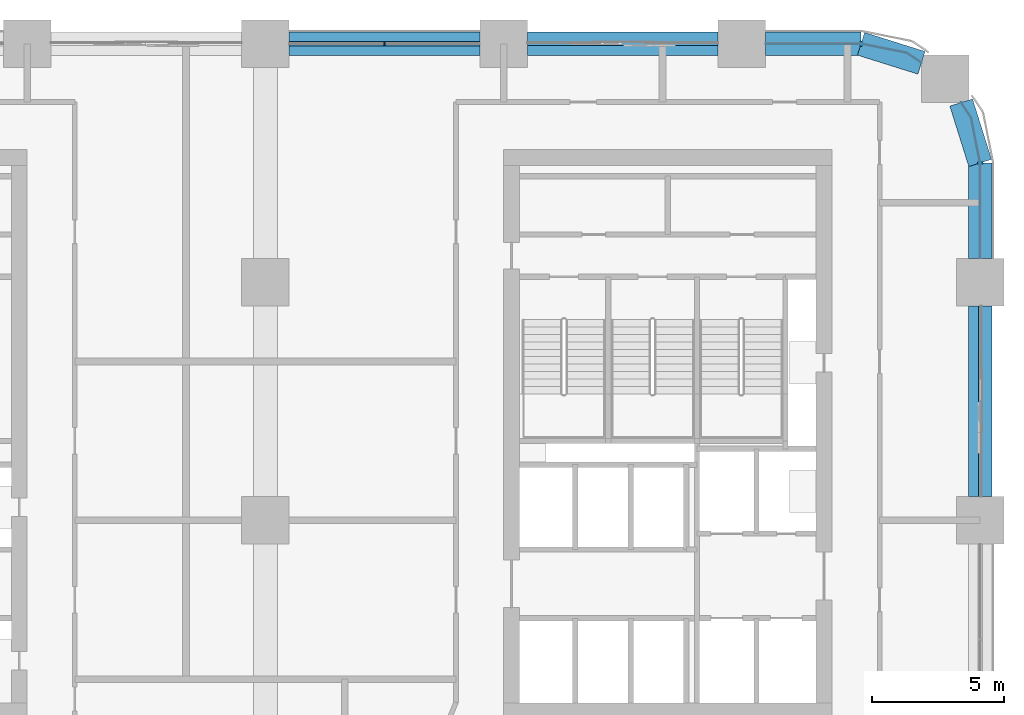
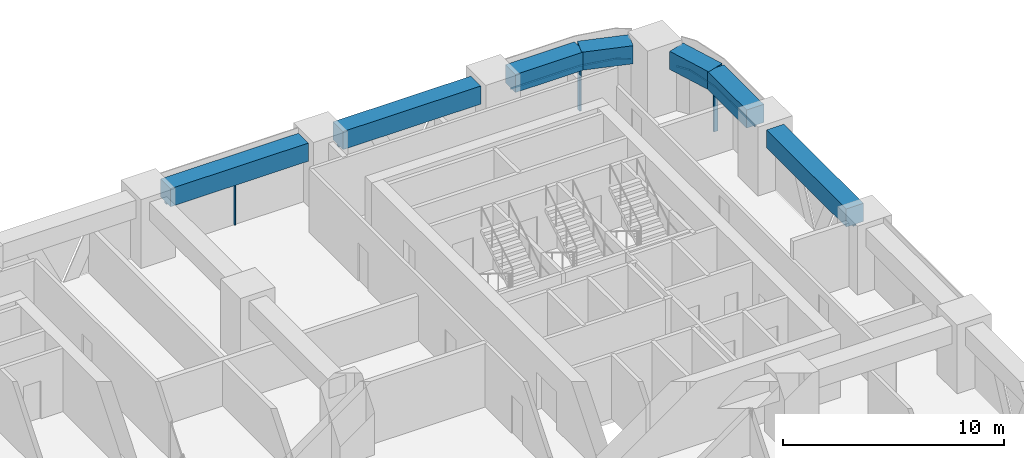
# One storey, part 8 of 18: 8 members, 7 beams, 5 elements without a shape of their own.
"""IFC4 building model written with IfcOpenShell, lengths in metres."""

from ifc_helpers import new_model, si_unit, direction, frame, origin, origin_2d, place, context, subcontext, project, spatial, polyline, rectangle, outline, extrude, material, material_profile, profile_set, type_object, element, aggregate, save


model = new_model("IFC4")

# Units and contexts
model_context = context("Model", 3, precision=1e-05, world=origin(), true_north=direction((0.0, 1.0)))
body_context = subcontext(model_context, "Body", "Model", "MODEL_VIEW")
ifc_project = project(units=[si_unit("LENGTHUNIT", "METRE"), si_unit("AREAUNIT", "SQUARE_METRE"), si_unit("VOLUMEUNIT", "CUBIC_METRE"), si_unit("PLANEANGLEUNIT", "RADIAN"), si_unit("MASSUNIT", "GRAM", prefix="KILO")], contexts=[model_context])

# Site, building, storey
site_placement = place(None, origin())
site = spatial("IfcSite", under=ifc_project, at=site_placement, CompositionType="ELEMENT")
building_placement = place(site_placement, origin())
building = spatial("IfcBuilding", under=site, at=building_placement, Name="Tessera Arch", CompositionType="ELEMENT")
storey_placement = place(building_placement, frame((0.0, 0.0, 115.800048828125)))
storey = spatial("IfcBuildingStorey", under=building, at=storey_placement, Name="L27", CompositionType="ELEMENT", Elevation=115.800048828125)

# Curtain wall, members
ifc_material_1 = material(Name="CW1 curtain wall")
curtain_wall_type_1 = type_object("IfcCurtainWallType", Name="CW1 curtain wall", PredefinedType="NOTDEFINED", material=ifc_material_1)
curtain_wall_1_placement = place(storey_placement, origin())
curtain_wall_1 = element("IfcCurtainWall", 1, at=curtain_wall_1_placement, inside=storey, type_object=curtain_wall_type_1, Name="CW1 curtain wall N54.0/1 L27", PredefinedType="NOTDEFINED")
ifc_material_2 = material(Name="Anodised aluminium pale metal", Category="aluminium")
ifc_material_profile_1 = material_profile(ifc_material_2, rectangle(XDim=0.159912109375, YDim=0.06005859375, at=origin_2d()), Name="AL 60x160")
ifc_profile_set_1 = profile_set([ifc_material_profile_1], Name="Anodised aluminium pale metal")
member_type_1 = type_object("IfcMemberType", Name="CW1 mullion", PredefinedType="MULLION", material=ifc_profile_set_1)
member_1_placement = place(storey_placement, frame((31.5, 54.0, 0.0), z_axis=(0.0, 0.0, 1.0), x_axis=(0.0, -1.0, 0.0)))
member_1 = element("IfcMember", 2, at=member_1_placement, type_object=member_type_1, Name="CW1 mullion N54.0/1 1", PredefinedType="MULLION", context=body_context, shape_type="SweptSolid", body=[
    extrude(rectangle(XDim=0.159912109375, YDim=0.06005859375, at=origin_2d()), origin(), (0.0, 0.0, 1.0), 2.39990234375),
])
ifc_material_3 = material(Name="Anodised aluminium pale metal", Category="aluminium")
ifc_material_profile_2 = material_profile(ifc_material_3, rectangle(XDim=0.159912109375, YDim=0.10009765625, at=origin_2d()), Name="AL 160x100")
ifc_profile_set_2 = profile_set([ifc_material_profile_2], Name="Anodised aluminium pale metal")
member_type_2 = type_object("IfcMemberType", Name="CW1 transom", PredefinedType="USERDEFINED", material=ifc_profile_set_2)
member_2_placement = place(storey_placement, frame((35.10009765625, 54.0, 2.449951171875), z_axis=(-1.0, 0.0, 0.0), x_axis=(0.0, -1.0, 0.0)))
member_2 = element("IfcMember", 3, at=member_2_placement, type_object=member_type_2, Name="CW1 transom N54.0/1 1.1", ObjectType="TRANSOM", PredefinedType="USERDEFINED", context=body_context, shape_type="SweptSolid", body=[
    extrude(rectangle(XDim=0.159912109375, YDim=0.10009765625, at=origin_2d()), origin(), (0.0, 0.0, 1.0), 7.2001953125),
])
aggregate(curtain_wall_1, [member_1, member_2])

# Curtain wall, member
ifc_material_4 = material(Name="CW2 curtain wall")
curtain_wall_type_2 = type_object("IfcCurtainWallType", Name="CW2 curtain wall", PredefinedType="NOTDEFINED", material=ifc_material_4)
curtain_wall_2_placement = place(storey_placement, origin())
curtain_wall_2 = element("IfcCurtainWall", 4, at=curtain_wall_2_placement, inside=storey, type_object=curtain_wall_type_2, Name="CW2 curtain wall E54.0/5 L27", PredefinedType="NOTDEFINED")
ifc_material_5 = material(Name="Anodised aluminium pale metal", Category="aluminium")
ifc_material_profile_3 = material_profile(ifc_material_5, rectangle(XDim=0.199951171875, YDim=0.080078125, at=origin_2d()), Name="AL 80x200")
ifc_profile_set_3 = profile_set([ifc_material_profile_3], Name="Anodised aluminium pale metal")
member_type_3 = type_object("IfcMemberType", Name="CW2 mullion", PredefinedType="MULLION", material=ifc_profile_set_3)
member_3_placement = place(storey_placement, frame((54.0, 49.5, 0.0), z_axis=(0.0, 0.0, 1.0), x_axis=(-1.0, 0.0, 0.0)))
member_3 = element("IfcMember", 5, at=member_3_placement, type_object=member_type_3, Name="CW2 mullion E54.0/5 1", PredefinedType="MULLION", context=body_context, shape_type="SweptSolid", body=[
    extrude(rectangle(XDim=0.199951171875, YDim=0.080078125, at=origin_2d()), origin(), (0.0, 0.0, 1.0), 2.39990234375),
])

curtain_wall_3_placement = place(storey_placement, origin())
curtain_wall_3 = element("IfcCurtainWall", 6, at=curtain_wall_3_placement, inside=storey, type_object=curtain_wall_type_2, Name="CW2 curtain wall N54.0/5 L27", PredefinedType="NOTDEFINED")
member_4_placement = place(storey_placement, frame((49.5, 54.0, 0.0), z_axis=(0.0, 0.0, 1.0), x_axis=(0.0, -1.0, 0.0)))
member_4 = element("IfcMember", 7, at=member_4_placement, type_object=member_type_3, Name="CW2 mullion N54.0/5 1", PredefinedType="MULLION", context=body_context, shape_type="SweptSolid", body=[
    extrude(rectangle(XDim=0.199951171875, YDim=0.080078125, at=origin_2d()), origin(), (0.0, 0.0, 1.0), 2.39990234375),
])

# Member
ifc_material_6 = material(Name="Anodised aluminium pale metal", Category="aluminium")
ifc_material_profile_4 = material_profile(ifc_material_6, rectangle(XDim=0.199951171875, YDim=0.10009765625, at=origin_2d()), Name="AL 200x100")
ifc_profile_set_4 = profile_set([ifc_material_profile_4], Name="Anodised aluminium pale metal")
member_type_4 = type_object("IfcMemberType", Name="CW2 transom", PredefinedType="USERDEFINED", material=ifc_profile_set_4)
member_5_placement = place(storey_placement, frame((0.0, 0.0, 2.39990234375)))
member_5 = element("IfcMember", 8, at=member_5_placement, type_object=member_type_4, Name="CW2 transom E54.0/5 1", ObjectType="TRANSOM", PredefinedType="USERDEFINED", context=body_context, shape_type="SweptSolid", body=[
    extrude(outline(polyline([(53.989990234375, 49.4990234375), (53.989990234375, 45.89990234375), (54.010009765625, 45.89990234375), (54.010009765625, 49.5009765625), (53.6669921875, 51.22607421875), (53.29150390625, 51.78759765625), (53.27490234375, 51.7763671875), (53.648193359375, 51.21826171875), (53.989990234375, 49.4990234375)])), origin(), (0.0, 0.0, 1.0), 0.10009765625),
])

aggregate(curtain_wall_2, [member_3, member_5])

member_6_placement = place(storey_placement, frame((0.0, 0.0, 2.39990234375)))
member_6 = element("IfcMember", 9, at=member_6_placement, type_object=member_type_4, Name="CW2 transom N54.0/5 1", ObjectType="TRANSOM", PredefinedType="USERDEFINED", context=body_context, shape_type="SweptSolid", body=[
    extrude(outline(polyline([(51.21826171875, 53.648193359375), (51.7763671875, 53.27490234375), (51.78759765625, 53.29150390625), (51.22607421875, 53.6669921875), (49.5009765625, 54.010009765625), (45.89990234375, 54.010009765625), (45.89990234375, 53.989990234375), (49.4990234375, 53.989990234375), (51.21826171875, 53.648193359375)])), origin(), (0.0, 0.0, 1.0), 0.10009765625),
])

aggregate(curtain_wall_3, [member_4, member_6])

# Curtain wall, member
ifc_material_7 = material(Name="CW3 curtain wall")
curtain_wall_type_3 = type_object("IfcCurtainWallType", Name="CW3 curtain wall", PredefinedType="NOTDEFINED", material=ifc_material_7)
curtain_wall_4_placement = place(storey_placement, origin())
curtain_wall_4 = element("IfcCurtainWall", 10, at=curtain_wall_4_placement, inside=storey, type_object=curtain_wall_type_3, Name="CW3 curtain wall N54.0/0 L27", PredefinedType="NOTDEFINED")
ifc_material_8 = material(Name="Anodised aluminium pale metal", Category="aluminium")
ifc_material_profile_5 = material_profile(ifc_material_8, rectangle(XDim=0.139892578125, YDim=0.10009765625, at=origin_2d()), Name="AL 140x100")
ifc_profile_set_5 = profile_set([ifc_material_profile_5], Name="Anodised aluminium pale metal")
member_type_5 = type_object("IfcMemberType", Name="CW3 transom", PredefinedType="USERDEFINED", material=ifc_profile_set_5)
member_7_placement = place(storey_placement, frame((44.10009765625, 54.0, 2.449951171875), z_axis=(-1.0, 0.0, 0.0), x_axis=(0.0, -1.0, 0.0)))
member_7 = element("IfcMember", 11, at=member_7_placement, type_object=member_type_5, Name="CW3 transom N54.0/0 1.1", ObjectType="TRANSOM", PredefinedType="USERDEFINED", context=body_context, shape_type="SweptSolid", body=[
    extrude(rectangle(XDim=0.139892578125, YDim=0.10009765625, at=origin_2d()), origin(), (0.0, 0.0, 1.0), 7.2001953125),
])
aggregate(curtain_wall_4, [member_7])

curtain_wall_5_placement = place(storey_placement, origin())
curtain_wall_5 = element("IfcCurtainWall", 12, at=curtain_wall_5_placement, inside=storey, type_object=curtain_wall_type_3, Name="CW3 curtain wall E54.0/4 L27", PredefinedType="NOTDEFINED")
member_8_placement = place(storey_placement, frame((54.0, 36.89990234375, 2.449951171875), z_axis=(0.0, 1.0, 0.0), x_axis=(-1.0, 0.0, 0.0)))
member_8 = element("IfcMember", 13, at=member_8_placement, type_object=member_type_5, Name="CW3 transom E54.0/4 1.1", ObjectType="TRANSOM", PredefinedType="USERDEFINED", context=body_context, shape_type="SweptSolid", body=[
    extrude(rectangle(XDim=0.139892578125, YDim=0.10009765625, at=origin_2d()), origin(), (0.0, 0.0, 1.0), 7.2001953125),
])
aggregate(curtain_wall_5, [member_8])

# Beams
ifc_material_9 = material(Name="Concrete C80/95", Category="concrete")
ifc_material_profile_6 = material_profile(ifc_material_9, rectangle(XDim=0.89990234375, YDim=1.0, at=origin_2d()), Name="RC spandrel beam 900 x 1000 Concrete C80/95")
ifc_profile_set_6 = profile_set([ifc_material_profile_6], Name="Concrete C80/95")
beam_type = type_object("IfcBeamType", Name="RC spandrel beam 900 x 1000 Concrete C80/95", PredefinedType="BEAM", material=ifc_profile_set_6)
for number, where, z_axis, x_axis, name in (
    (14, (44.10009765625, 54.0, 3.0), (-1.0, 0.0, 0.0), (0.0, -1.0, 0.0), "Spandrel beam L27 N54.0/0"),
    (15, (35.10009765625, 54.0, 3.0), (-1.0, 0.0, 0.0), (0.0, -1.0, 0.0), "Spandrel beam L27 N54.0/1"),
    (16, (54.0, 36.89990234375, 3.0), (0.0, 1.0, 0.0), (-1.0, 0.0, 0.0), "Spandrel beam L27 E54.0/4"),
):
    element("IfcBeam", number, at=place(storey_placement, frame(where, z_axis=z_axis, x_axis=x_axis)), inside=storey, type_object=beam_type, Name=name, PredefinedType="BEAM", context=body_context, shape_type="SweptSolid", body=[
        extrude(rectangle(XDim=0.89990234375, YDim=1.0, at=origin_2d()), origin(), (0.0, 0.0, 1.0), 7.2001953125),
    ])
beam_1_placement = place(storey_placement, frame((54.0, 45.89990234375, 3.0), z_axis=(0.0, 1.0, 0.0), x_axis=(-1.0, 0.0, 0.0)))
element("IfcBeam", 17, at=beam_1_placement, inside=storey, type_object=beam_type, Name="Spandrel beam L27 E54.0/5.1", PredefinedType="BEAM", context=body_context, shape_type="SweptSolid", body=[
    extrude(rectangle(XDim=0.89990234375, YDim=1.0, at=origin_2d()), origin(), (0.0, 0.0, 1.0), 3.60009765625),
])
for number, where, z_axis, x_axis, name in (
    (18, (54.0, 49.5, 3.0), (-0.299675309057, 0.954041251279, 0.0), (-0.954041251279, -0.299675309057, 0.0), "Spandrel beam L27 E54.0/5.2"),
    (19, (51.781982421875, 53.283203125, 3.0), (-0.954041251279, 0.299675309057, 0.0), (-0.299675309057, -0.954041251279, 0.0), "Spandrel beam L27 N54.0/5.1"),
):
    element("IfcBeam", number, at=place(storey_placement, frame(where, z_axis=z_axis, x_axis=x_axis)), inside=storey, type_object=beam_type, Name=name, PredefinedType="BEAM", context=body_context, shape_type="SweptSolid", body=[
        extrude(rectangle(XDim=0.89990234375, YDim=1.0, at=origin_2d()), origin(), (0.0, 0.0, 1.0), 2.391845703125),
    ])
beam_2_placement = place(storey_placement, frame((49.5, 54.0, 3.0), z_axis=(-1.0, 0.0, 0.0), x_axis=(0.0, -1.0, 0.0)))
element("IfcBeam", 20, at=beam_2_placement, inside=storey, type_object=beam_type, Name="Spandrel beam L27 N54.0/5.2", PredefinedType="BEAM", context=body_context, shape_type="SweptSolid", body=[
    extrude(rectangle(XDim=0.89990234375, YDim=1.0, at=origin_2d()), origin(), (0.0, 0.0, 1.0), 3.60009765625),
])

save(model, "model.ifc")
